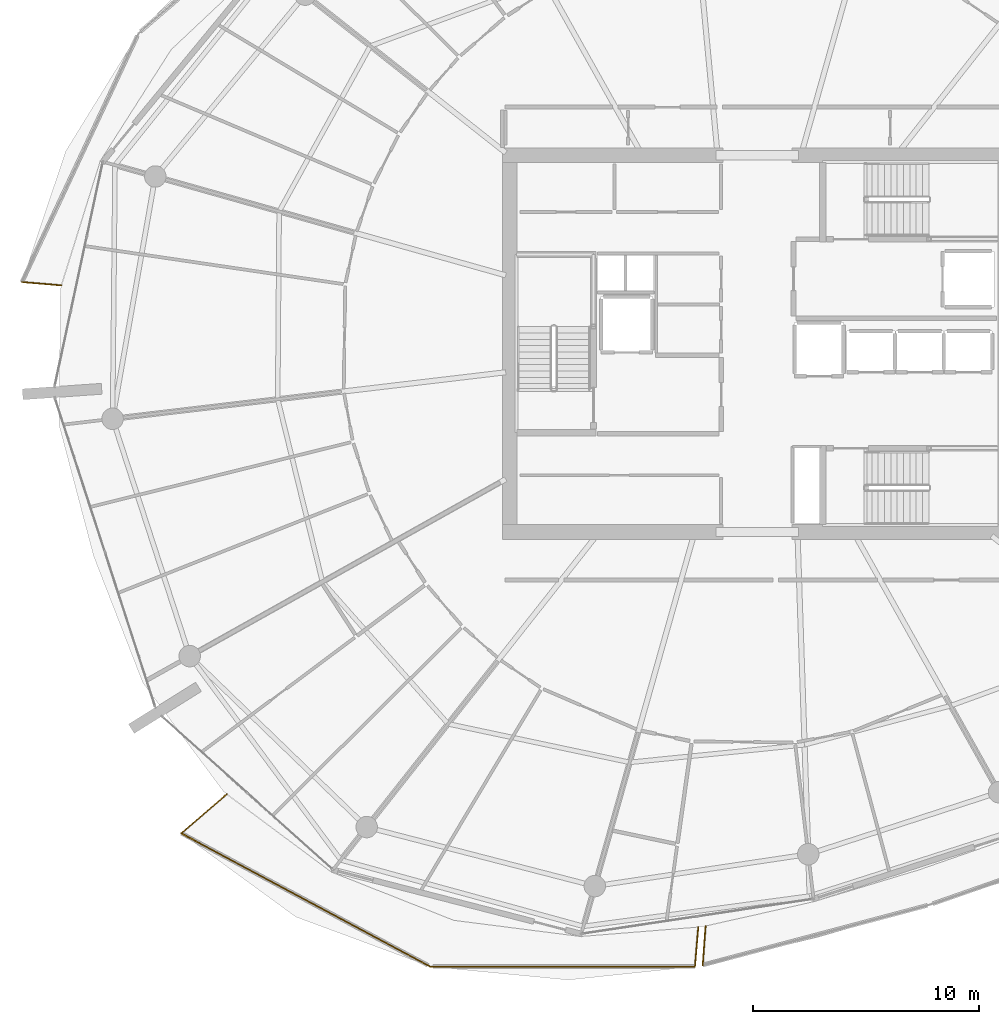
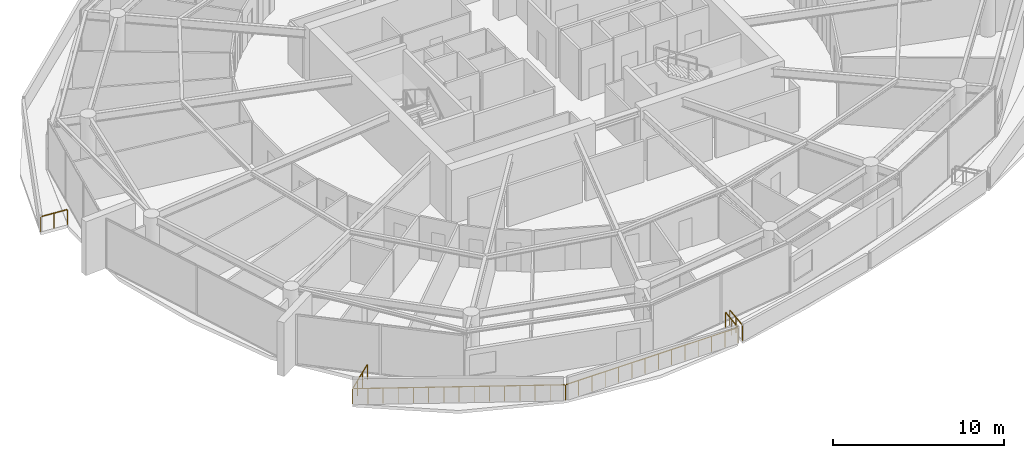
# One storey, part 25 of 31: 6 railings.
"""IFC4 building model written with IfcOpenShell, lengths in metres."""

from ifc_helpers import new_model, si_unit, direction, frame, origin, origin_2d, place, context, subcontext, project, spatial, rectangle, extrude, material, type_object, element, save


model = new_model("IFC4")

# Units and contexts
model_context = context("Model", 3, precision=1e-05, world=origin(), true_north=direction((0.0, 1.0)))
body_context = subcontext(model_context, "Body", "Model", "MODEL_VIEW")
ifc_project = project(units=[si_unit("LENGTHUNIT", "METRE"), si_unit("AREAUNIT", "SQUARE_METRE"), si_unit("VOLUMEUNIT", "CUBIC_METRE"), si_unit("PLANEANGLEUNIT", "RADIAN"), si_unit("MASSUNIT", "GRAM", prefix="KILO")], contexts=[model_context])

# Site, building, storey
site_placement = place(None, origin())
site = spatial("IfcSite", under=ifc_project, at=site_placement, CompositionType="ELEMENT")
building_placement = place(site_placement, origin())
building = spatial("IfcBuilding", under=site, at=building_placement, Name="Kazma Halo Residences", CompositionType="ELEMENT")
storey_placement = place(building_placement, frame((0.0, 0.0, 248.25)))
storey = spatial("IfcBuildingStorey", under=building, at=storey_placement, Name="L62", CompositionType="ELEMENT", Elevation=248.25)

# Railings
ifc_material = material(Name="Aluminium AW-6063 T6 Brushed Cap Rail", Category="aluminium")
railing_type = type_object("IfcRailingType", Name="RLG-BAL-CAP-1120", PredefinedType="BALUSTRADE", material=ifc_material)
railing_1_placement = place(storey_placement, frame((15.90966796875, 44.722900390625, 0.0)))
element("IfcRailing", 1, at=railing_1_placement, inside=storey, type_object=railing_type, Name="L62 NW wave balcony guard 4", PredefinedType="BALUSTRADE", context=body_context, shape_type="SweptSolid", body=[
    extrude(rectangle(XDim=0.050048828125, YDim=0.050048828125, at=origin_2d()), frame((0.04248046875, -0.003662109375, 1.09521484375), z_axis=(0.996417331857, -0.084572458722, 0.0), x_axis=(0.084572458722, 0.996417331857, 0.0)), (0.0, 0.0, 1.0), 1.661376953125),
    extrude(rectangle(XDim=0.0400390625, YDim=0.0400390625, at=origin_2d()), origin(), (0.0, 0.0, 1.0), 1.05810546875),
    extrude(rectangle(XDim=0.0400390625, YDim=0.0400390625, at=origin_2d()), frame((0.8701171875, -0.07373046875, 0.0)), (0.0, 0.0, 1.0), 1.05810546875),
    extrude(rectangle(XDim=0.0400390625, YDim=0.0400390625, at=origin_2d()), frame((1.740234375, -0.147705078125, 0.0)), (0.0, 0.0, 1.0), 1.05810546875),
])
railing_2_placement = place(storey_placement, frame((24.9599609375, 22.0771484375, 0.0)))
element("IfcRailing", 2, at=railing_2_placement, inside=storey, type_object=railing_type, Name="L62 SW wave balcony guard 1", PredefinedType="BALUSTRADE", context=body_context, shape_type="SweptSolid", body=[
    extrude(rectangle(XDim=0.050048828125, YDim=0.050048828125, at=origin_2d()), frame((-0.0322265625, -0.02783203125, 1.09521484375), z_axis=(-0.756423746387, -0.654081887765, 0.0), x_axis=(0.654081887765, -0.756423746387, 0.0)), (0.0, 0.0, 1.0), 2.5556640625),
    extrude(rectangle(XDim=0.0400390625, YDim=0.0400390625, at=origin_2d()), origin(), (0.0, 0.0, 1.0), 1.05810546875),
    extrude(rectangle(XDim=0.0400390625, YDim=0.0400390625, at=origin_2d()), frame((-0.665771484375, -0.57568359375, 0.0)), (0.0, 0.0, 1.0), 1.05810546875),
    extrude(rectangle(XDim=0.0400390625, YDim=0.0400390625, at=origin_2d()), frame((-1.331787109375, -1.151611328125, 0.0)), (0.0, 0.0, 1.0), 1.05810546875),
    extrude(rectangle(XDim=0.0400390625, YDim=0.0400390625, at=origin_2d()), frame((-1.99755859375, -1.727294921875, 0.0)), (0.0, 0.0, 1.0), 1.05810546875),
])
railing_3_placement = place(storey_placement, frame((22.96240234375, 20.349853515625, 0.0)))
element("IfcRailing", 3, at=railing_3_placement, inside=storey, type_object=railing_type, Name="L62 SW wave balcony guard 2", PredefinedType="BALUSTRADE", context=body_context, shape_type="SweptSolid", body=[
    extrude(rectangle(XDim=0.050048828125, YDim=0.050048828125, at=origin_2d()), frame((0.03759765625, -0.02001953125, 1.09521484375), z_axis=(0.881587822602, -0.472020032455, 0.0), x_axis=(0.472020032455, 0.881587822602, 0.0)), (0.0, 0.0, 1.0), 12.397216796875),
    extrude(rectangle(XDim=0.0400390625, YDim=0.0400390625, at=origin_2d()), origin(), (0.0, 0.0, 1.0), 1.05810546875),
    extrude(rectangle(XDim=0.0400390625, YDim=0.0400390625, at=origin_2d()), frame((0.7861328125, -0.4208984375, 0.0)), (0.0, 0.0, 1.0), 1.05810546875),
    extrude(rectangle(XDim=0.0400390625, YDim=0.0400390625, at=origin_2d()), frame((1.572021484375, -0.841796875, 0.0)), (0.0, 0.0, 1.0), 1.05810546875),
    extrude(rectangle(XDim=0.0400390625, YDim=0.0400390625, at=origin_2d()), frame((2.35791015625, -1.262451171875, 0.0)), (0.0, 0.0, 1.0), 1.05810546875),
    extrude(rectangle(XDim=0.0400390625, YDim=0.0400390625, at=origin_2d()), frame((3.14404296875, -1.683349609375, 0.0)), (0.0, 0.0, 1.0), 1.05810546875),
    extrude(rectangle(XDim=0.0400390625, YDim=0.0400390625, at=origin_2d()), frame((3.93017578125, -2.104248046875, 0.0)), (0.0, 0.0, 1.0), 1.05810546875),
    extrude(rectangle(XDim=0.0400390625, YDim=0.0400390625, at=origin_2d()), frame((4.716064453125, -2.525146484375, 0.0)), (0.0, 0.0, 1.0), 1.05810546875),
    extrude(rectangle(XDim=0.0400390625, YDim=0.0400390625, at=origin_2d()), frame((5.501953125, -2.94580078125, 0.0)), (0.0, 0.0, 1.0), 1.05810546875),
    extrude(rectangle(XDim=0.0400390625, YDim=0.0400390625, at=origin_2d()), frame((6.2880859375, -3.36669921875, 0.0)), (0.0, 0.0, 1.0), 1.05810546875),
    extrude(rectangle(XDim=0.0400390625, YDim=0.0400390625, at=origin_2d()), frame((7.07421875, -3.78759765625, 0.0)), (0.0, 0.0, 1.0), 1.05810546875),
    extrude(rectangle(XDim=0.0400390625, YDim=0.0400390625, at=origin_2d()), frame((7.860107421875, -4.20849609375, 0.0)), (0.0, 0.0, 1.0), 1.05810546875),
    extrude(rectangle(XDim=0.0400390625, YDim=0.0400390625, at=origin_2d()), frame((8.64599609375, -4.62939453125, 0.0)), (0.0, 0.0, 1.0), 1.05810546875),
    extrude(rectangle(XDim=0.0400390625, YDim=0.0400390625, at=origin_2d()), frame((9.43212890625, -5.050048828125, 0.0)), (0.0, 0.0, 1.0), 1.05810546875),
    extrude(rectangle(XDim=0.0400390625, YDim=0.0400390625, at=origin_2d()), frame((10.21826171875, -5.470947265625, 0.0)), (0.0, 0.0, 1.0), 1.05810546875),
    extrude(rectangle(XDim=0.0400390625, YDim=0.0400390625, at=origin_2d()), frame((11.004150390625, -5.891845703125, 0.0)), (0.0, 0.0, 1.0), 1.05810546875),
])
railing_4_placement = place(storey_placement, frame((33.966552734375, 14.4580078125, 0.0)))
element("IfcRailing", 4, at=railing_4_placement, inside=storey, type_object=railing_type, Name="L62 SW wave balcony guard 3", PredefinedType="BALUSTRADE", context=body_context, shape_type="SweptSolid", body=[
    extrude(rectangle(XDim=0.050048828125, YDim=0.050048828125, at=origin_2d()), frame((0.04248046875, 0.0, 1.09521484375), z_axis=(0.999999921363, 0.000396576884, 0.0), x_axis=(-0.000396576884, 0.999999921363, 0.0)), (0.0, 0.0, 1.0), 11.61181640625),
    extrude(rectangle(XDim=0.0400390625, YDim=0.0400390625, at=origin_2d()), origin(), (0.0, 0.0, 1.0), 1.05810546875),
    extrude(rectangle(XDim=0.0400390625, YDim=0.0400390625, at=origin_2d()), frame((0.899658203125, 0.000244140625, 0.0)), (0.0, 0.0, 1.0), 1.05810546875),
    extrude(rectangle(XDim=0.0400390625, YDim=0.0400390625, at=origin_2d()), frame((1.799560546875, 0.000732421875, 0.0)), (0.0, 0.0, 1.0), 1.05810546875),
    extrude(rectangle(XDim=0.0400390625, YDim=0.0400390625, at=origin_2d()), frame((2.69921875, 0.0009765625, 0.0)), (0.0, 0.0, 1.0), 1.05810546875),
    extrude(rectangle(XDim=0.0400390625, YDim=0.0400390625, at=origin_2d()), frame((3.59912109375, 0.00146484375, 0.0)), (0.0, 0.0, 1.0), 1.05810546875),
    extrude(rectangle(XDim=0.0400390625, YDim=0.0400390625, at=origin_2d()), frame((4.498779296875, 0.001708984375, 0.0)), (0.0, 0.0, 1.0), 1.05810546875),
    extrude(rectangle(XDim=0.0400390625, YDim=0.0400390625, at=origin_2d()), frame((5.3984375, 0.002197265625, 0.0)), (0.0, 0.0, 1.0), 1.05810546875),
    extrude(rectangle(XDim=0.0400390625, YDim=0.0400390625, at=origin_2d()), frame((6.29833984375, 0.00244140625, 0.0)), (0.0, 0.0, 1.0), 1.05810546875),
    extrude(rectangle(XDim=0.0400390625, YDim=0.0400390625, at=origin_2d()), frame((7.197998046875, 0.0029296875, 0.0)), (0.0, 0.0, 1.0), 1.05810546875),
    extrude(rectangle(XDim=0.0400390625, YDim=0.0400390625, at=origin_2d()), frame((8.09765625, 0.003173828125, 0.0)), (0.0, 0.0, 1.0), 1.05810546875),
    extrude(rectangle(XDim=0.0400390625, YDim=0.0400390625, at=origin_2d()), frame((8.99755859375, 0.003662109375, 0.0)), (0.0, 0.0, 1.0), 1.05810546875),
    extrude(rectangle(XDim=0.0400390625, YDim=0.0400390625, at=origin_2d()), frame((9.897216796875, 0.00390625, 0.0)), (0.0, 0.0, 1.0), 1.05810546875),
    extrude(rectangle(XDim=0.0400390625, YDim=0.0400390625, at=origin_2d()), frame((10.797119140625, 0.00439453125, 0.0)), (0.0, 0.0, 1.0), 1.05810546875),
    extrude(rectangle(XDim=0.0400390625, YDim=0.0400390625, at=origin_2d()), frame((11.69677734375, 0.004638671875, 0.0)), (0.0, 0.0, 1.0), 1.05810546875),
])
railing_5_placement = place(storey_placement, frame((45.663330078125, 14.462646484375, 0.0)))
element("IfcRailing", 5, at=railing_5_placement, inside=storey, type_object=railing_type, Name="L62 SW wave balcony guard 4", PredefinedType="BALUSTRADE", context=body_context, shape_type="SweptSolid", body=[
    extrude(rectangle(XDim=0.050048828125, YDim=0.050048828125, at=origin_2d()), frame((0.003662109375, 0.04248046875, 1.09521484375), z_axis=(0.084569892868, 0.996417549635, 0.0), x_axis=(-0.996417549635, 0.084569892868, 0.0)), (0.0, 0.0, 1.0), 1.664306640625),
    extrude(rectangle(XDim=0.0400390625, YDim=0.0400390625, at=origin_2d()), origin(), (0.0, 0.0, 1.0), 1.05810546875),
    extrude(rectangle(XDim=0.0400390625, YDim=0.0400390625, at=origin_2d()), frame((0.073974609375, 0.87158203125, 0.0)), (0.0, 0.0, 1.0), 1.05810546875),
    extrude(rectangle(XDim=0.0400390625, YDim=0.0400390625, at=origin_2d()), frame((0.14794921875, 1.7431640625, 0.0)), (0.0, 0.0, 1.0), 1.05810546875),
])
railing_6_placement = place(storey_placement, frame((46.1318359375, 16.25390625, 0.0)))
element("IfcRailing", 6, at=railing_6_placement, inside=storey, type_object=railing_type, Name="L62 SSE wave balcony guard 1", PredefinedType="BALUSTRADE", context=body_context, shape_type="SweptSolid", body=[
    extrude(rectangle(XDim=0.050048828125, YDim=0.050048828125, at=origin_2d()), frame((-0.003173828125, -0.04248046875, 1.09521484375), z_axis=(-0.072349491269, -0.997379341631, 0.0), x_axis=(0.997379341631, -0.072349491269, 0.0)), (0.0, 0.0, 1.0), 1.64599609375),
    extrude(rectangle(XDim=0.0400390625, YDim=0.0400390625, at=origin_2d()), origin(), (0.0, 0.0, 1.0), 1.05810546875),
    extrude(rectangle(XDim=0.0400390625, YDim=0.0400390625, at=origin_2d()), frame((-0.0625, -0.86328125, 0.0)), (0.0, 0.0, 1.0), 1.05810546875),
    extrude(rectangle(XDim=0.0400390625, YDim=0.0400390625, at=origin_2d()), frame((-0.125244140625, -1.7265625, 0.0)), (0.0, 0.0, 1.0), 1.05810546875),
])

save(model, "model.ifc")
